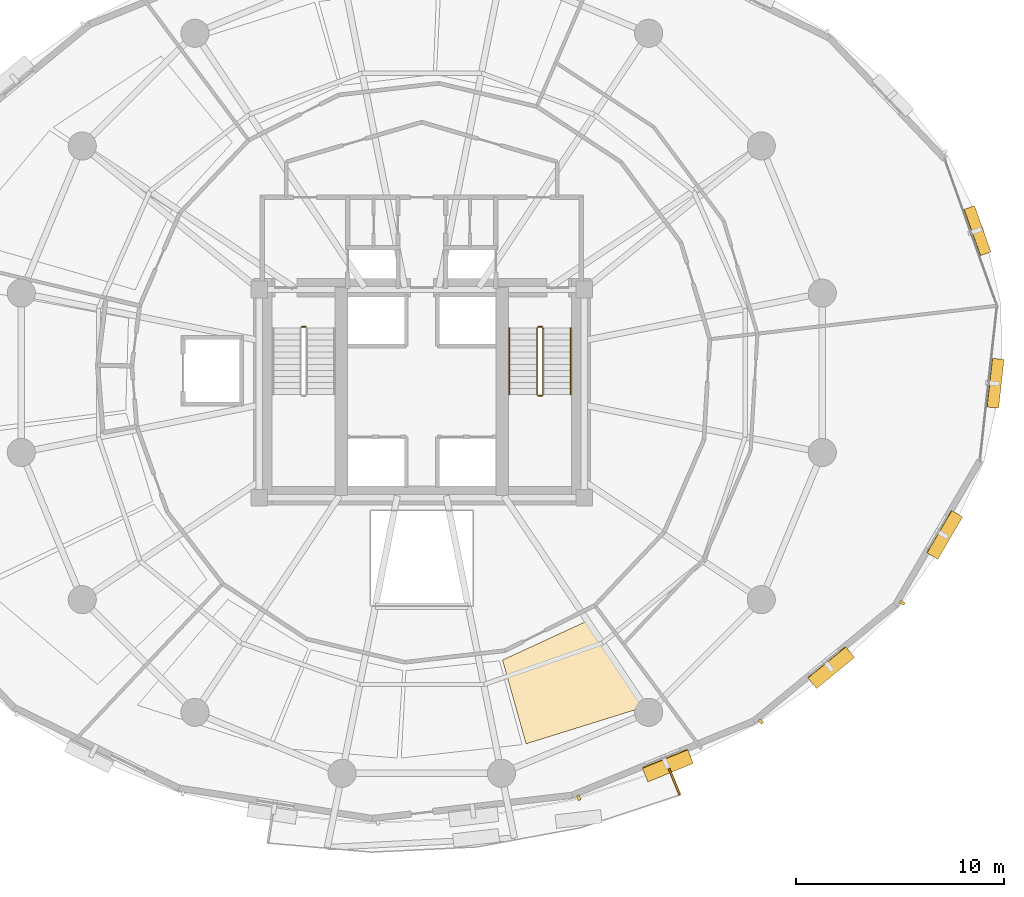
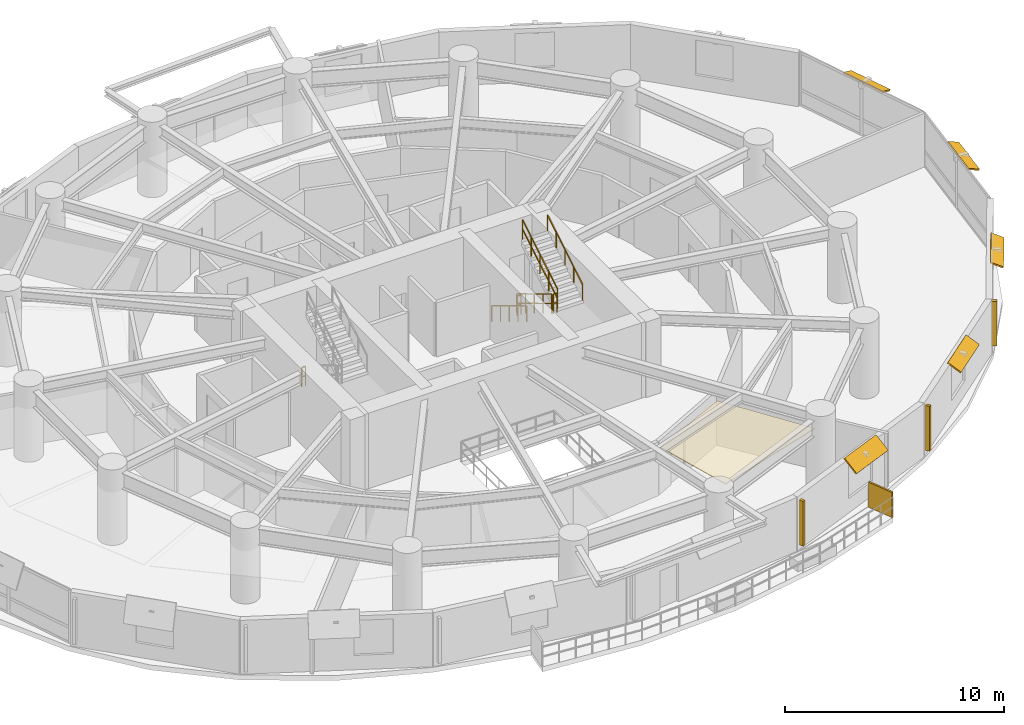
# One storey, part 16 of 17: 9 shading devices, 7 railings, 1 covering.
"""IFC4 building model written with IfcOpenShell, lengths in metres."""

from ifc_helpers import new_model, si_unit, direction, frame, origin, origin_2d, place, context, subcontext, project, spatial, polyline, rectangle, outline, extrude, material, layer, layer_set, type_object, element, save


model = new_model("IFC4")

# Units and contexts
model_context = context("Model", 3, precision=1e-05, world=origin(), true_north=direction((0.0, 1.0)))
body_context = subcontext(model_context, "Body", "Model", "MODEL_VIEW")
ifc_project = project(units=[si_unit("LENGTHUNIT", "METRE"), si_unit("AREAUNIT", "SQUARE_METRE"), si_unit("VOLUMEUNIT", "CUBIC_METRE"), si_unit("PLANEANGLEUNIT", "RADIAN"), si_unit("MASSUNIT", "GRAM", prefix="KILO"), si_unit("THERMODYNAMICTEMPERATUREUNIT", "KELVIN"), si_unit("POWERUNIT", "WATT")], contexts=[model_context])

# Site, building, storey
site_placement = place(None, origin())
site = spatial("IfcSite", under=ifc_project, at=site_placement, CompositionType="ELEMENT")
building_placement = place(site_placement, origin())
building = spatial("IfcBuilding", under=site, at=building_placement, Name="Ocrelia Relay Tower", CompositionType="ELEMENT")
storey_placement = place(building_placement, frame((0.0, 0.0, 59.39990234375)))
storey = spatial("IfcBuildingStorey", under=building, at=storey_placement, Name="L13", CompositionType="ELEMENT", Elevation=59.39990234375)

# Covering
ifc_material_1 = material(Name="Cleanroom metal-pan acoustic ceiling", Category="aluminium")
ifc_layer_1 = layer(ifc_material_1, 0.0400390625, Name="Cleanroom metal-pan acoustic ceiling")
ifc_layer_set_1 = layer_set([ifc_layer_1], Name="Cleanroom metal-pan acoustic ceiling")
covering_type = type_object("IfcCoveringType", Name="COV-CEIL-CLEAN", PredefinedType="CEILING", material=ifc_layer_set_1)
covering_placement = place(storey_placement, frame((0.0, 0.0, 2.920166015625)))
element("IfcCovering", 1, at=covering_placement, inside=storey, type_object=covering_type, Name="L13 Colocation Data Hall A Suspended Ceiling 4", PredefinedType="CEILING", context=body_context, shape_type="SweptSolid", body=[
    extrude(outline(polyline([(37.875, 12.21435546875), (39.005859375, 8.191162109375), (44.744873046875, 9.97998046875), (41.9765625, 14.107421875), (37.875, 12.21435546875)])), origin(), (0.0, 0.0, 1.0), 0.0400390625),
])

# Railings
ifc_material_2 = material(Name="Steel S355 balustrade", Category="steel")
railing_type_1 = type_object("IfcRailingType", Name="RL-STAIR-GUARD", PredefinedType="GUARDRAIL", material=ifc_material_2)
railing_1_placement = place(storey_placement, frame((28.22998046875, 28.199951171875, 0.0)))
element("IfcRailing", 2, at=railing_1_placement, inside=storey, type_object=railing_type_1, Name="L13 ST1 stair guard 4", PredefinedType="GUARDRAIL", context=body_context, shape_type="SweptSolid", body=[
    extrude(rectangle(XDim=0.048095703125, YDim=0.048095703125, at=origin_2d()), frame((0.0, 0.0, 1.076171875), z_axis=(1.0, 0.0, 0.0), x_axis=(0.0, 1.0, 0.0)), (0.0, 0.0, 1.0), 0.199951171875),
    extrude(rectangle(XDim=0.048095703125, YDim=0.048095703125, at=origin_2d()), frame((0.0, 0.0, 0.550048828125), z_axis=(1.0, 0.0, 0.0), x_axis=(0.0, 1.0, 0.0)), (0.0, 0.0, 1.0), 0.199951171875),
    extrude(rectangle(XDim=0.0419921875, YDim=0.0419921875, at=origin_2d()), origin(), (0.0, 0.0, 1.0), 1.052001953125),
    extrude(rectangle(XDim=0.0419921875, YDim=0.0419921875, at=origin_2d()), frame((0.199951171875, 0.0, 0.0)), (0.0, 0.0, 1.0), 1.052001953125),
])
railing_2_placement = place(storey_placement, frame((39.530029296875, 28.14990234375, 0.175048828125)))
element("IfcRailing", 3, at=railing_2_placement, inside=storey, type_object=railing_type_1, Name="L13 ST2 stair guard 1", PredefinedType="GUARDRAIL", context=body_context, shape_type="SweptSolid", body=[
    extrude(rectangle(XDim=0.048095703125, YDim=0.048095703125, at=origin_2d()), frame((0.0, 0.0, 1.076171875), z_axis=(0.0, -0.856177665481, 0.516681531633), x_axis=(1.0, 0.0, 0.0)), (0.0, 0.0, 1.0), 3.725830078125),
    extrude(rectangle(XDim=0.048095703125, YDim=0.048095703125, at=origin_2d()), frame((0.0, 0.0, 0.550048828125), z_axis=(0.0, -0.856177665481, 0.516681531633), x_axis=(1.0, 0.0, 0.0)), (0.0, 0.0, 1.0), 3.725830078125),
    extrude(rectangle(XDim=0.0419921875, YDim=0.0419921875, at=origin_2d()), origin(), (0.0, 0.0, 1.0), 1.052001953125),
    extrude(rectangle(XDim=0.0419921875, YDim=0.0419921875, at=origin_2d()), frame((0.0, -0.79736328125, 0.481201171875)), (0.0, 0.0, 1.0), 1.052001953125),
    extrude(rectangle(XDim=0.0419921875, YDim=0.0419921875, at=origin_2d()), frame((0.0, -1.594970703125, 0.96240234375)), (0.0, 0.0, 1.0), 1.052001953125),
    extrude(rectangle(XDim=0.0419921875, YDim=0.0419921875, at=origin_2d()), frame((0.0, -2.392578125, 1.44384765625)), (0.0, 0.0, 1.0), 1.052001953125),
    extrude(rectangle(XDim=0.0419921875, YDim=0.0419921875, at=origin_2d()), frame((0.0, -3.18994140625, 1.925048828125)), (0.0, 0.0, 1.0), 1.052001953125),
])
railing_3_placement = place(storey_placement, frame((39.580078125, 24.909912109375, 2.10009765625)))
element("IfcRailing", 4, at=railing_3_placement, inside=storey, type_object=railing_type_1, Name="L13 ST2 stair guard 2", PredefinedType="GUARDRAIL", context=body_context, shape_type="SweptSolid", body=[
    extrude(rectangle(XDim=0.048095703125, YDim=0.048095703125, at=origin_2d()), frame((0.0, 0.0, 1.076171875), z_axis=(1.0, 0.0, 0.0), x_axis=(0.0, 1.0, 0.0)), (0.0, 0.0, 1.0), 0.199951171875),
    extrude(rectangle(XDim=0.048095703125, YDim=0.048095703125, at=origin_2d()), frame((0.0, 0.0, 0.550048828125), z_axis=(1.0, 0.0, 0.0), x_axis=(0.0, 1.0, 0.0)), (0.0, 0.0, 1.0), 0.199951171875),
    extrude(rectangle(XDim=0.0419921875, YDim=0.0419921875, at=origin_2d()), origin(), (0.0, 0.0, 1.0), 1.052001953125),
    extrude(rectangle(XDim=0.0419921875, YDim=0.0419921875, at=origin_2d()), frame((0.199951171875, 0.0, 0.0)), (0.0, 0.0, 1.0), 1.052001953125),
])
railing_4_placement = place(storey_placement, frame((39.830078125, 24.9599609375, 2.275146484375)))
element("IfcRailing", 5, at=railing_4_placement, inside=storey, type_object=railing_type_1, Name="L13 ST2 stair guard 3", PredefinedType="GUARDRAIL", context=body_context, shape_type="SweptSolid", body=[
    extrude(rectangle(XDim=0.048095703125, YDim=0.048095703125, at=origin_2d()), frame((0.0, 0.0, 1.076171875), z_axis=(0.0, 0.856177665481, 0.516681531633), x_axis=(-1.0, 0.0, 0.0)), (0.0, 0.0, 1.0), 3.725830078125),
    extrude(rectangle(XDim=0.048095703125, YDim=0.048095703125, at=origin_2d()), frame((0.0, 0.0, 0.550048828125), z_axis=(0.0, 0.856177665481, 0.516681531633), x_axis=(-1.0, 0.0, 0.0)), (0.0, 0.0, 1.0), 3.725830078125),
    extrude(rectangle(XDim=0.0419921875, YDim=0.0419921875, at=origin_2d()), origin(), (0.0, 0.0, 1.0), 1.052001953125),
    extrude(rectangle(XDim=0.0419921875, YDim=0.0419921875, at=origin_2d()), frame((0.0, 0.79736328125, 0.481201171875)), (0.0, 0.0, 1.0), 1.052001953125),
    extrude(rectangle(XDim=0.0419921875, YDim=0.0419921875, at=origin_2d()), frame((0.0, 1.594970703125, 0.96240234375)), (0.0, 0.0, 1.0), 1.052001953125),
    extrude(rectangle(XDim=0.0419921875, YDim=0.0419921875, at=origin_2d()), frame((0.0, 2.392578125, 1.44384765625)), (0.0, 0.0, 1.0), 1.052001953125),
    extrude(rectangle(XDim=0.0419921875, YDim=0.0419921875, at=origin_2d()), frame((0.0, 3.18994140625, 1.925048828125)), (0.0, 0.0, 1.0), 1.052001953125),
])
railing_5_placement = place(storey_placement, frame((39.580078125, 28.199951171875, 0.0)))
element("IfcRailing", 6, at=railing_5_placement, inside=storey, type_object=railing_type_1, Name="L13 ST2 stair guard 4", PredefinedType="GUARDRAIL", context=body_context, shape_type="SweptSolid", body=[
    extrude(rectangle(XDim=0.048095703125, YDim=0.048095703125, at=origin_2d()), frame((0.0, 0.0, 1.076171875), z_axis=(1.0, 0.0, 0.0), x_axis=(0.0, 1.0, 0.0)), (0.0, 0.0, 1.0), 0.199951171875),
    extrude(rectangle(XDim=0.048095703125, YDim=0.048095703125, at=origin_2d()), frame((0.0, 0.0, 0.550048828125), z_axis=(1.0, 0.0, 0.0), x_axis=(0.0, 1.0, 0.0)), (0.0, 0.0, 1.0), 0.199951171875),
    extrude(rectangle(XDim=0.0419921875, YDim=0.0419921875, at=origin_2d()), origin(), (0.0, 0.0, 1.0), 1.052001953125),
    extrude(rectangle(XDim=0.0419921875, YDim=0.0419921875, at=origin_2d()), frame((0.199951171875, 0.0, 0.0)), (0.0, 0.0, 1.0), 1.052001953125),
])
ifc_material_3 = material(Name="Steel S355 tubular handrail", Category="steel")
railing_type_2 = type_object("IfcRailingType", Name="RL-STAIR-HAND", PredefinedType="HANDRAIL", material=ifc_material_3)
railing_6_placement = place(storey_placement, frame((38.2099609375, 28.14990234375, 0.175048828125)))
element("IfcRailing", 7, at=railing_6_placement, inside=storey, type_object=railing_type_2, Name="L13 ST2 stair handrail 1", PredefinedType="HANDRAIL", context=body_context, shape_type="SweptSolid", body=[
    extrude(rectangle(XDim=0.048095703125, YDim=0.048095703125, at=origin_2d()), frame((0.0, 0.0, 0.8759765625), z_axis=(0.0, -0.856177665481, 0.516681531633), x_axis=(1.0, 0.0, 0.0)), (0.0, 0.0, 1.0), 3.725830078125),
    extrude(rectangle(XDim=0.0419921875, YDim=0.0419921875, at=origin_2d()), origin(), (0.0, 0.0, 1.0), 0.851806640625),
    extrude(rectangle(XDim=0.0419921875, YDim=0.0419921875, at=origin_2d()), frame((0.0, -0.79736328125, 0.481201171875)), (0.0, 0.0, 1.0), 0.851806640625),
    extrude(rectangle(XDim=0.0419921875, YDim=0.0419921875, at=origin_2d()), frame((0.0, -1.594970703125, 0.96240234375)), (0.0, 0.0, 1.0), 0.851806640625),
    extrude(rectangle(XDim=0.0419921875, YDim=0.0419921875, at=origin_2d()), frame((0.0, -2.392578125, 1.44384765625)), (0.0, 0.0, 1.0), 0.851806640625),
    extrude(rectangle(XDim=0.0419921875, YDim=0.0419921875, at=origin_2d()), frame((0.0, -3.18994140625, 1.925048828125)), (0.0, 0.0, 1.0), 0.851806640625),
])
railing_7_placement = place(storey_placement, frame((41.14990234375, 24.9599609375, 2.275146484375)))
element("IfcRailing", 8, at=railing_7_placement, inside=storey, type_object=railing_type_2, Name="L13 ST2 stair handrail 2", PredefinedType="HANDRAIL", context=body_context, shape_type="SweptSolid", body=[
    extrude(rectangle(XDim=0.048095703125, YDim=0.048095703125, at=origin_2d()), frame((0.0, 0.0, 0.8759765625), z_axis=(0.0, 0.856177665481, 0.516681531633), x_axis=(-1.0, 0.0, 0.0)), (0.0, 0.0, 1.0), 3.725830078125),
    extrude(rectangle(XDim=0.0419921875, YDim=0.0419921875, at=origin_2d()), origin(), (0.0, 0.0, 1.0), 0.851806640625),
    extrude(rectangle(XDim=0.0419921875, YDim=0.0419921875, at=origin_2d()), frame((0.0, 0.79736328125, 0.481201171875)), (0.0, 0.0, 1.0), 0.851806640625),
    extrude(rectangle(XDim=0.0419921875, YDim=0.0419921875, at=origin_2d()), frame((0.0, 1.594970703125, 0.96240234375)), (0.0, 0.0, 1.0), 0.851806640625),
    extrude(rectangle(XDim=0.0419921875, YDim=0.0419921875, at=origin_2d()), frame((0.0, 2.392578125, 1.44384765625)), (0.0, 0.0, 1.0), 0.851806640625),
    extrude(rectangle(XDim=0.0419921875, YDim=0.0419921875, at=origin_2d()), frame((0.0, 3.18994140625, 1.925048828125)), (0.0, 0.0, 1.0), 0.851806640625),
])

# Shading devices
ifc_material_4 = material(Name="Perforated oxide terracotta solar screen", Category="masonry")
ifc_layer_2 = layer(ifc_material_4, 0.090087890625, Name="Perforated oxide terracotta solar screen")
ifc_layer_set_2 = layer_set([ifc_layer_2], Name="Perforated oxide terracotta solar screen")
shading_device_type_1 = type_object("IfcShadingDeviceType", Name="SH-BALC-SCREEN", PredefinedType="USERDEFINED", material=ifc_layer_set_2)
shading_device_1_placement = place(storey_placement, frame((46.127685546875, 6.369140625, 0.000244140625), z_axis=(0.0, 0.0, 1.0), x_axis=(0.379702827412, -0.925108514097, 0.0)))
element("IfcShadingDevice", 9, at=shading_device_1_placement, inside=storey, type_object=shading_device_type_1, Name="L13 Balcony Perforated Terracotta Screen B2-2", ObjectType="SCREEN", PredefinedType="USERDEFINED", context=body_context, shape_type="SweptSolid", body=[
    extrude(rectangle(XDim=1.340087890625, YDim=0.090087890625, at=origin_2d()), origin(), (0.0, 0.0, 1.0), 1.39990234375),
])
ifc_material_5 = material(Name="Extruded oxide terracotta vertical baguette", Category="masonry")
shading_device_type_2 = type_object("IfcShadingDeviceType", Name="SH-TERR-BAGUETTE", PredefinedType="USERDEFINED", material=ifc_material_5)
for number, where, z_axis, x_axis, name in (
    (10, (41.533203125, 5.601806640625, 0.25), (0.0, 0.0, 1.0), (0.92566073455, 0.378354601547, 0.0), "L13 Oxide Terracotta Vertical Baguette 15"),
    (11, (50.27392578125, 9.261962890625, 0.25), (0.0, 0.0, 1.0), (0.772875849251, 0.634557264275, 0.0), "L13 Oxide Terracotta Vertical Baguette 16"),
    (12, (57.05810546875, 14.957763671875, 0.25), (0.0, 0.0, 1.0), (0.5052648016, 0.862964356311, 0.0), "L13 Oxide Terracotta Vertical Baguette 17"),
):
    element("IfcShadingDevice", number, at=place(storey_placement, frame(where, z_axis=z_axis, x_axis=x_axis)), inside=storey, type_object=shading_device_type_2, Name=name, ObjectType="BAGUETTE", PredefinedType="USERDEFINED", context=body_context, shape_type="SweptSolid", body=[
        extrude(rectangle(XDim=0.139892578125, YDim=0.239990234375, at=origin_2d()), origin(), (0.0, 0.0, 1.0), 2.5),
    ])
ifc_material_6 = material(Name="Extruded oxide terracotta fin", Category="masonry")
ifc_layer_3 = layer(ifc_material_6, 0.080078125, Name="Extruded oxide terracotta fin")
ifc_layer_set_3 = layer_set([ifc_layer_3], Name="Extruded oxide terracotta fin")
shading_device_type_3 = type_object("IfcShadingDeviceType", Name="SH-VISOR-FIN-MED", PredefinedType="USERDEFINED", material=ifc_layer_set_3)
shading_device_2_placement = place(storey_placement, frame((45.792724609375, 7.1796875, 2.80908203125), z_axis=(0.238362770575, -0.583164725361, 0.776596479968), x_axis=(0.92566073455, 0.378354601547, 0.0)))
element("IfcShadingDevice", 13, at=shading_device_2_placement, inside=storey, type_object=shading_device_type_3, Name="L13 Canted Terracotta Sun-Visor Fin 15", ObjectType="FIN", PredefinedType="USERDEFINED", context=body_context, shape_type="SweptSolid", body=[
    extrude(rectangle(XDim=2.35009765625, YDim=0.90087890625, at=origin_2d()), origin(), (0.0, 0.0, 1.0), 0.080078125),
])
ifc_layer_4 = layer(ifc_material_6, 0.080078125, Name="Extruded oxide terracotta fin")
ifc_layer_set_4 = layer_set([ifc_layer_4], Name="Extruded oxide terracotta fin")
shading_device_type_4 = type_object("IfcShadingDeviceType", Name="SH-VISOR-FIN-SHAL", PredefinedType="USERDEFINED", material=ifc_layer_set_4)
shading_device_3_placement = place(storey_placement, frame((60.65283203125, 32.814453125, 2.802001953125), z_axis=(0.297496470284, 0.105994049005, 0.948820906043), x_axis=(-0.335621072702, 0.941997078317, 0.0)))
element("IfcShadingDevice", 14, at=shading_device_3_placement, inside=storey, type_object=shading_device_type_4, Name="L13 Canted Terracotta Sun-Visor Fin 01", ObjectType="FIN", PredefinedType="USERDEFINED", context=body_context, shape_type="SweptSolid", body=[
    extrude(rectangle(XDim=2.35009765625, YDim=0.556884765625, at=origin_2d()), origin(), (0.0, 0.0, 1.0), 0.080078125),
])
shading_device_4_placement = place(storey_placement, frame((53.629150390625, 11.875732421875, 2.805419921875), z_axis=(0.319864758734, -0.389587766101, 0.863659602288), x_axis=(0.772875849251, 0.634557264275, 0.0)))
element("IfcShadingDevice", 15, at=shading_device_4_placement, inside=storey, type_object=shading_device_type_4, Name="L13 Canted Terracotta Sun-Visor Fin 16", ObjectType="FIN", PredefinedType="USERDEFINED", context=body_context, shape_type="SweptSolid", body=[
    extrude(rectangle(XDim=2.35009765625, YDim=0.7548828125, at=origin_2d()), origin(), (0.0, 0.0, 1.0), 0.080078125),
])
shading_device_5_placement = place(storey_placement, frame((59.078369140625, 18.23486328125, 2.803466796875), z_axis=(0.354023704687, -0.207280538996, 0.911976970473), x_axis=(0.5052648016, 0.862964356311, 0.0)))
element("IfcShadingDevice", 16, at=shading_device_5_placement, inside=storey, type_object=shading_device_type_4, Name="L13 Canted Terracotta Sun-Visor Fin 17", ObjectType="FIN", PredefinedType="USERDEFINED", context=body_context, shape_type="SweptSolid", body=[
    extrude(rectangle(XDim=2.35009765625, YDim=0.654052734375, at=origin_2d()), origin(), (0.0, 0.0, 1.0), 0.080078125),
])
shading_device_6_placement = place(storey_placement, frame((61.513671875, 25.499755859375, 2.802490234375), z_axis=(0.347110184543, -0.038386643514, 0.937038411905), x_axis=(0.109919105663, 0.993940536557, 0.0)))
element("IfcShadingDevice", 17, at=shading_device_6_placement, inside=storey, type_object=shading_device_type_4, Name="L13 Canted Terracotta Sun-Visor Fin 18", ObjectType="FIN", PredefinedType="USERDEFINED", context=body_context, shape_type="SweptSolid", body=[
    extrude(rectangle(XDim=2.35009765625, YDim=0.591064453125, at=origin_2d()), origin(), (0.0, 0.0, 1.0), 0.080078125),
])

save(model, "model.ifc")
